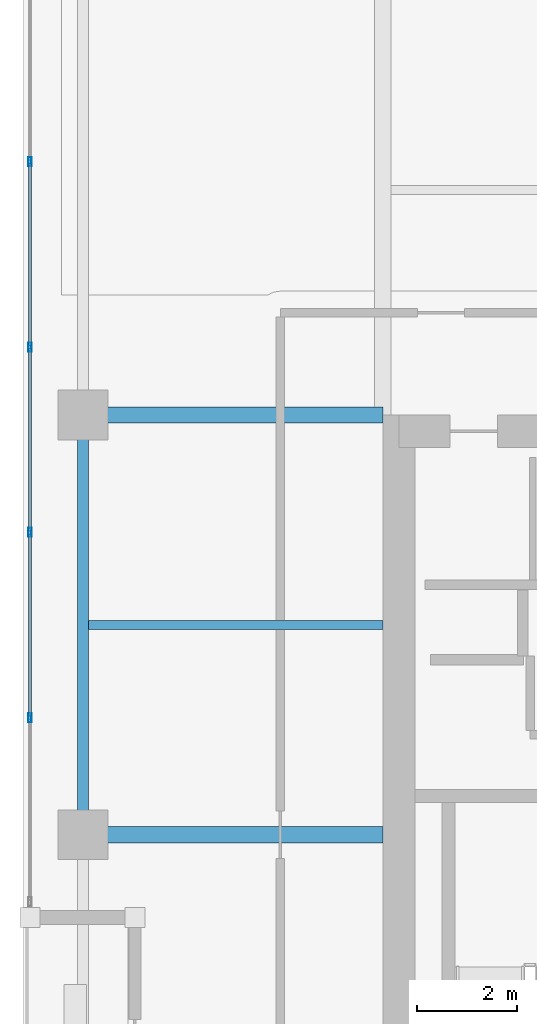
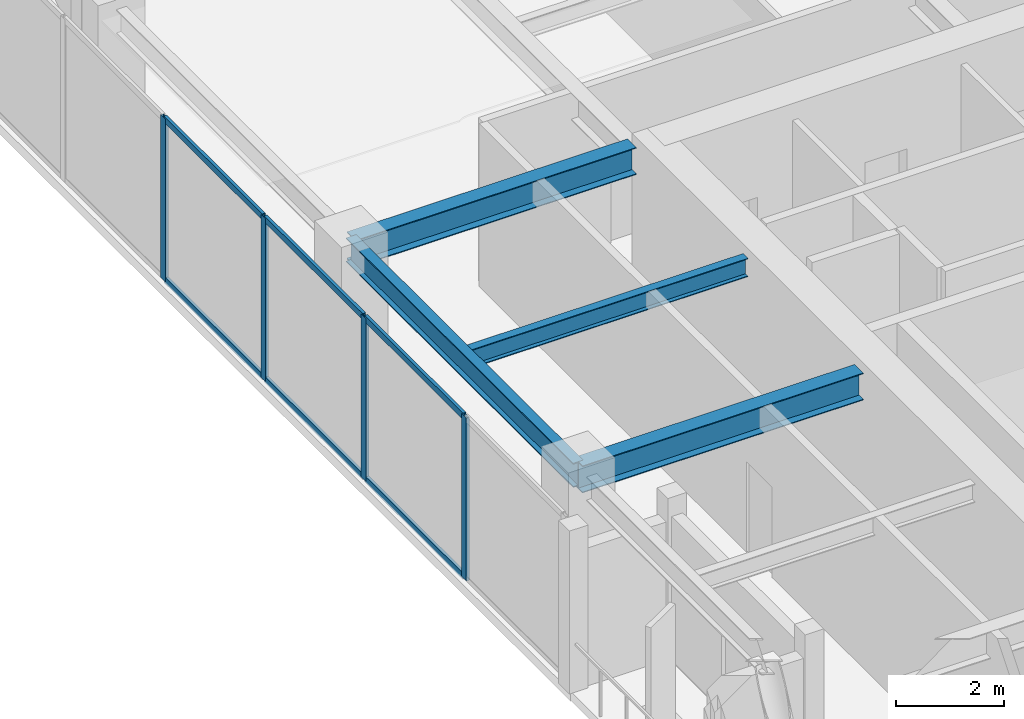
# One storey, part 4 of 21: 10 members, 4 beams, 1 element without a shape of its own.
"""IFC4 building model written with IfcOpenShell, lengths in metres."""

import ifcopenshell
import ifcopenshell.guid

model = None  # the IFC model being written
_history = None  # IfcOwnerHistory: only IFC2X3 demands one
_inside = {}  # id of a spatial element -> (the spatial element, [elements in it])
_under = {}  # id of a project, library or spatial element -> (it, [spatial elements below it])
_declared = {}  # id of a project -> (the project, [libraries it declares])
_typed = {}  # id of a type object -> (the type object, [elements of that type])
_made_of = {}  # id of a material, layer set ... -> (it, [elements and type objects made of it])


def new_model(schema):
    """Start an empty IFC model of exactly this schema.

    Asked for "IFC4X3", IfcOpenShell would pick the latest addendum, in which some entities
    have other attributes; the version numbers below select the first issue.
    IFC2X3 requires an IfcOwnerHistory on every rooted entity: one is made here for all.
    """
    global model, _history
    if schema == "IFC4X3":
        model = ifcopenshell.file(schema_version=(4, 3, 0, 0))
    else:
        model = ifcopenshell.file(schema=schema)
    _inside.clear()
    _under.clear()
    _declared.clear()
    _typed.clear()
    _made_of.clear()
    _history = None
    if model.schema == "IFC2X3":
        org = make("IfcOrganization", Name="unknown")
        user = make(
            "IfcPersonAndOrganization",
            ThePerson=make("IfcPerson", FamilyName="unknown"),
            TheOrganization=org,
        )
        app = make(
            "IfcApplication",
            ApplicationDeveloper=org,
            Version="unknown",
            ApplicationFullName="unknown",
            ApplicationIdentifier="unknown",
        )
        _history = make(
            "IfcOwnerHistory",
            OwningUser=user,
            OwningApplication=app,
            ChangeAction="ADDED",
            CreationDate=0,
        )
    return model


def make(cls, **values):
    """One entity of the class cls with the attributes given. An attribute that is None is left unset."""
    return model.create_entity(
        cls, **{name: value for name, value in values.items() if value is not None}
    )


def rooted(cls, **values):
    """An entity with a GlobalId (a new one), such as an element, a storey or a relation."""
    return make(cls, GlobalId=ifcopenshell.guid.new(), OwnerHistory=_history, **values)


def si_unit(unit_type, name, prefix=None):
    """IfcSIUnit, for example si_unit("LENGTHUNIT", "METRE", prefix="MILLI")."""
    return make("IfcSIUnit", UnitType=unit_type, Prefix=prefix, Name=name)


def assignment(units):
    """IfcUnitAssignment: the units of a project."""
    return None if units is None else make("IfcUnitAssignment", Units=units)


def point(xyz):
    """IfcCartesianPoint."""
    return None if xyz is None else make("IfcCartesianPoint", Coordinates=xyz)


def direction(xyz):
    """IfcDirection."""
    return None if xyz is None else make("IfcDirection", DirectionRatios=xyz)


def frame(location, z_axis=None, x_axis=None):
    """IfcAxis2Placement3D, a coordinate frame: its origin and axes. An axis left out is left unset."""
    return make(
        "IfcAxis2Placement3D",
        Location=point(location),
        Axis=direction(z_axis),
        RefDirection=direction(x_axis),
    )


def frame_2d(location, x_axis=None):
    """IfcAxis2Placement2D, a coordinate frame in the plane: its origin and x axis."""
    return make(
        "IfcAxis2Placement2D", Location=point(location), RefDirection=direction(x_axis)
    )


def origin():
    """The frame at (0, 0, 0) with its axes left unset."""
    return frame((0.0, 0.0, 0.0))


def origin_2d():
    """The frame at (0, 0) in the plane with its x axis left unset."""
    return frame_2d((0.0, 0.0))


def place(relative_to, where):
    """IfcLocalPlacement: puts the frame where relative to a parent placement (None: the world)."""
    return make(
        "IfcLocalPlacement", PlacementRelTo=relative_to, RelativePlacement=where
    )


def context(
    kind, dimensions, precision=None, world=None, true_north=None, identifier=None
):
    """IfcGeometricRepresentationContext, for example the 3D "Model" context."""
    return make(
        "IfcGeometricRepresentationContext",
        ContextIdentifier=identifier,
        ContextType=kind,
        CoordinateSpaceDimension=dimensions,
        Precision=precision,
        WorldCoordinateSystem=world,
        TrueNorth=true_north,
    )


def subcontext(parent, identifier, kind, view, scale=None):
    """IfcGeometricRepresentationSubContext, for example "Body" below "Model"."""
    return make(
        "IfcGeometricRepresentationSubContext",
        ContextIdentifier=identifier,
        ContextType=kind,
        ParentContext=parent,
        TargetScale=scale,
        TargetView=view,
    )


def project(units=None, contexts=None):
    """IfcProject with its units and contexts."""
    return rooted(
        "IfcProject",
        Name="project",
        RepresentationContexts=contexts,
        UnitsInContext=assignment(units),
    )


def spatial(cls, under=None, at=None, **own):
    """A site, building, storey or space (cls), placed at a placement, below another one or the project."""
    s = rooted(cls, ObjectPlacement=at, **own)
    if under is not None:
        _under.setdefault(under.id(), (under, []))[1].append(s)
    return s


def profile(cls, at=None, kind="AREA", **sizes):
    """A parametric profile (cls). Its sizes go by their IFC names, for example OverallWidth=200.0."""
    return make(cls, ProfileType=kind, Position=at, **sizes)


def hollow_rectangle(**sizes):
    """IfcRectangleHollowProfileDef."""
    return profile("IfcRectangleHollowProfileDef", **sizes)


def i_section(**sizes):
    """IfcIShapeProfileDef."""
    return profile("IfcIShapeProfileDef", **sizes)


def extrude(swept, where, along, depth):
    """IfcExtrudedAreaSolid: the profile swept, set in the frame where, extruded along a direction by depth."""
    return make(
        "IfcExtrudedAreaSolid",
        SweptArea=swept,
        Position=where,
        ExtrudedDirection=direction(along),
        Depth=depth,
    )


def shape(context_of_items, identifier, shape_type, items):
    """IfcShapeRepresentation: the items that make up one representation, for example the "Body"."""
    return make(
        "IfcShapeRepresentation",
        ContextOfItems=context_of_items,
        RepresentationIdentifier=identifier,
        RepresentationType=shape_type,
        Items=items,
    )


def material(Name=None, Category=None):
    """IfcMaterial."""
    return make("IfcMaterial", Name=Name, Category=Category)


def layer(
    of_material, thickness, ventilated=None, Name=None, Category=None, Priority=None
):
    """IfcMaterialLayer: one layer of a wall or slab, of a material (None: an air gap)."""
    return make(
        "IfcMaterialLayer",
        Material=of_material,
        LayerThickness=thickness,
        IsVentilated=ventilated,
        Name=Name,
        Category=Category,
        Priority=Priority,
    )


def layer_set(layers, Name=None):
    """IfcMaterialLayerSet."""
    return make("IfcMaterialLayerSet", MaterialLayers=layers, LayerSetName=Name)


def material_profile(
    of_material, cross_section, Name=None, Category=None, Priority=None
):
    """IfcMaterialProfile: a cross section and its material."""
    return make(
        "IfcMaterialProfile",
        Name=Name,
        Material=of_material,
        Profile=cross_section,
        Priority=Priority,
        Category=Category,
    )


def profile_set(profiles, Name=None, composite=None):
    """IfcMaterialProfileSet."""
    return make(
        "IfcMaterialProfileSet",
        Name=Name,
        MaterialProfiles=profiles,
        CompositeProfile=composite,
    )


def made_of(thing, what):
    """Note that an element or type object is made of a material, layer set ...; save() writes the relation."""
    if what is not None:
        _made_of.setdefault(what.id(), (what, []))[1].append(thing)
    return thing


def type_object(cls, material=None, **own):
    """A type object (cls), such as IfcWallType, which elements share."""
    return made_of(rooted(cls, **own), material)


def element(
    cls,
    number,
    at=None,
    inside=None,
    cuts=None,
    type_object=None,
    material=None,
    context=None,
    identifier="Body",
    shape_type=None,
    held_by="IfcProductDefinitionShape",
    body=None,
    shapes=None,
    **own,
):
    """One element of the class cls, such as IfcWall. Its Tag is "e" and its number.

    at: its placement. inside: the storey or other place that contains it. cuts: it is an
    opening in that element (IfcRelVoidsElement). A single representation is given by context,
    identifier, shape_type and body (its items); several are given by shapes. held_by: the class
    of the entity that holds the representations. save() writes the other relations.
    """
    e = rooted(cls, Tag="e%d" % number, ObjectPlacement=at, **own)
    if body is not None:
        shapes = [shape(context, identifier, shape_type, body)]
    if shapes is not None:
        e.Representation = make(held_by, Representations=shapes)
    if inside is not None:
        _inside.setdefault(inside.id(), (inside, []))[1].append(e)
    if cuts is not None:
        rooted(
            "IfcRelVoidsElement", RelatingBuildingElement=cuts, RelatedOpeningElement=e
        )
    if type_object is not None:
        _typed.setdefault(type_object.id(), (type_object, []))[1].append(e)
    return made_of(e, material)


def aggregate(whole, parts):
    """IfcRelAggregates: a whole, such as a stair, and the parts it consists of."""
    return rooted("IfcRelAggregates", RelatingObject=whole, RelatedObjects=parts)


def save(model, path):
    """Write the relations noted so far, then the file.

    IfcRelAggregates (storeys below a building ...), IfcRelContainedInSpatialStructure (elements
    in a storey), IfcRelDefinesByType, IfcRelAssociatesMaterial and IfcRelDeclares: one each for
    every whole, place, type object, material and project.
    """
    for whole, parts in _under.values():
        aggregate(whole, parts)
    for where, things in _inside.values():
        rooted(
            "IfcRelContainedInSpatialStructure",
            RelatedElements=things,
            RelatingStructure=where,
        )
    for kind, things in _typed.values():
        rooted("IfcRelDefinesByType", RelatedObjects=things, RelatingType=kind)
    for what, things in _made_of.values():
        rooted("IfcRelAssociatesMaterial", RelatedObjects=things, RelatingMaterial=what)
    for by, libraries in _declared.values():
        rooted("IfcRelDeclares", RelatingContext=by, RelatedDefinitions=libraries)
    model.write(path)


model = new_model("IFC4")

# Units and contexts
model_context = context("Model", 3, precision=1e-05, world=origin(), true_north=direction((0.0, 1.0)))
body_context = subcontext(model_context, "Body", "Model", "MODEL_VIEW")
ifc_project = project(units=[si_unit("LENGTHUNIT", "METRE"), si_unit("AREAUNIT", "SQUARE_METRE"), si_unit("VOLUMEUNIT", "CUBIC_METRE"), si_unit("PLANEANGLEUNIT", "RADIAN"), si_unit("MASSUNIT", "GRAM", prefix="KILO")], contexts=[model_context])

# Site, building, storey
site_placement = place(None, origin())
site = spatial("IfcSite", under=ifc_project, at=site_placement, CompositionType="ELEMENT")
building_placement = place(site_placement, origin())
building = spatial("IfcBuilding", under=site, at=building_placement, Name="Kiyonajd Concourse Tower", CompositionType="ELEMENT")
storey_placement = place(building_placement, frame((0.0, 0.0, 231.0)))
storey = spatial("IfcBuildingStorey", under=building, at=storey_placement, Name="L58", CompositionType="ELEMENT", Elevation=231.0)

# Beams
ifc_material_1 = material(Name="Steel ASTM A992 Grade 50", Category="steel")
ifc_material_profile_1 = material_profile(ifc_material_1, i_section(OverallWidth=0.180908203125, OverallDepth=0.4169921875, WebThickness=0.010986328125, FlangeThickness=0.018310546875, at=origin_2d()), Name="W410X85")
ifc_profile_set_1 = profile_set([ifc_material_profile_1], Name="Steel ASTM A992 Grade 50")
beam_type_1 = type_object("IfcBeamType", Name="BM-JST-410", PredefinedType="JOIST", material=ifc_profile_set_1)
beam_1_placement = place(storey_placement, frame((26.507080078125, 40.199951171875, 3.471435546875), z_axis=(1.0, 0.0, 0.0), x_axis=(0.0, 1.0, 0.0)))
element("IfcBeam", 1, at=beam_1_placement, inside=storey, type_object=beam_type_1, Name="L58 West Secondary Floor Joist", PredefinedType="JOIST", context=body_context, shape_type="SweptSolid", body=[
    extrude(i_section(OverallWidth=0.180908203125, OverallDepth=0.4169921875, WebThickness=0.010986328125, FlangeThickness=0.018310546875, at=origin_2d()), origin(), (0.0, 0.0, 1.0), 5.892822265625),
])
ifc_material_profile_2 = material_profile(ifc_material_1, i_section(OverallWidth=0.214111328125, OverallDepth=0.549072265625, WebThickness=0.0146484375, FlangeThickness=0.023681640625, at=origin_2d()), Name="W530X138")
ifc_profile_set_2 = profile_set([ifc_material_profile_2], Name="Steel ASTM A992 Grade 50")
beam_type_2 = type_object("IfcBeamType", Name="BM-SPAN-530A", PredefinedType="SPANDREL", material=ifc_profile_set_2)
beam_2_placement = place(storey_placement, frame((26.39990234375, 44.39990234375, 3.405517578125), z_axis=(0.0, -1.0, 0.0), x_axis=(1.0, 0.0, 0.0)))
element("IfcBeam", 2, at=beam_2_placement, inside=storey, type_object=beam_type_2, Name="L58 Perimeter Bundled Tube Spandrel", PredefinedType="SPANDREL", context=body_context, shape_type="SweptSolid", body=[
    extrude(i_section(OverallWidth=0.214111328125, OverallDepth=0.549072265625, WebThickness=0.0146484375, FlangeThickness=0.023681640625, at=origin_2d()), origin(), (0.0, 0.0, 1.0), 8.39990234375),
])
ifc_material_profile_3 = material_profile(ifc_material_1, i_section(OverallWidth=0.323974609375, OverallDepth=0.611083984375, WebThickness=0.0126953125, FlangeThickness=0.01904296875, at=origin_2d()), Name="W610X155")
ifc_profile_set_3 = profile_set([ifc_material_profile_3], Name="Steel ASTM A992 Grade 50")
beam_type_3 = type_object("IfcBeamType", Name="BM-TWR-610B", PredefinedType="BEAM", material=ifc_profile_set_3)
for number, where, z_axis, x_axis, name in (
    (3, (26.39990234375, 36.0, 3.37451171875), (1.0, 0.0, 0.0), (0.0, 1.0, 0.0), "L58 West Lease Girder"),
    (4, (26.39990234375, 44.39990234375, 3.37451171875), (1.0, 0.0, 0.0), (0.0, 1.0, 0.0), "L58 West Lease Girder"),
):
    element("IfcBeam", number, at=place(storey_placement, frame(where, z_axis=z_axis, x_axis=x_axis)), inside=storey, type_object=beam_type_3, Name=name, PredefinedType="BEAM", context=body_context, shape_type="SweptSolid", body=[
        extrude(i_section(OverallWidth=0.323974609375, OverallDepth=0.611083984375, WebThickness=0.0126953125, FlangeThickness=0.01904296875, at=origin_2d()), origin(), (0.0, 0.0, 1.0), 6.0),
    ])

# Curtain wall, members
ifc_material_2 = material(Name="Thermally Broken Anodised Aluminium", Category="aluminium")
ifc_layer = layer(ifc_material_2, 0.179931640625)
ifc_layer_set = layer_set([ifc_layer], Name="Thermally Broken Anodised Aluminium")
curtain_wall_type = type_object("IfcCurtainWallType", Name="CW-SYS-04", PredefinedType="NOTDEFINED", material=ifc_layer_set)
curtain_wall_placement = place(storey_placement, origin())
curtain_wall = element("IfcCurtainWall", 5, at=curtain_wall_placement, inside=storey, type_object=curtain_wall_type, Name="L58 Unitised Curtain Wall CW4", PredefinedType="NOTDEFINED")
ifc_material_profile_4 = material_profile(ifc_material_2, hollow_rectangle(XDim=0.06494140625, YDim=0.179931640625, WallThickness=0.00390625, at=origin_2d()), Name="MULL-65x180")
ifc_profile_set_4 = profile_set([ifc_material_profile_4], Name="Thermally Broken Anodised Aluminium")
member_type_1 = type_object("IfcMemberType", Name="MB-CW-MULL1", PredefinedType="MULLION", material=ifc_profile_set_4)
member_1_placement = place(storey_placement, frame((25.340087890625, 38.34033203125, 0.0), z_axis=(0.0, 0.0, 1.0), x_axis=(-1.0, 0.0, 0.0)))
member_1 = element("IfcMember", 6, at=member_1_placement, type_object=member_type_1, Name="CW4 mullion 2", PredefinedType="MULLION", context=body_context, shape_type="SweptSolid", body=[
    extrude(hollow_rectangle(XDim=0.06494140625, YDim=0.179931640625, WallThickness=0.00390625, at=origin_2d()), origin(), (0.0, 0.0, 1.0), 3.679931640625),
])
member_2_placement = place(storey_placement, frame((25.340087890625, 42.050537109375, 0.0), z_axis=(0.0, 0.0, 1.0), x_axis=(-1.0, 0.0, 0.0)))
member_2 = element("IfcMember", 7, at=member_2_placement, type_object=member_type_1, Name="CW4 mullion 3", PredefinedType="MULLION", context=body_context, shape_type="SweptSolid", body=[
    extrude(hollow_rectangle(XDim=0.06494140625, YDim=0.179931640625, WallThickness=0.00390625, at=origin_2d()), origin(), (0.0, 0.0, 1.0), 3.679931640625),
])
member_3_placement = place(storey_placement, frame((25.340087890625, 45.7607421875, 0.0), z_axis=(0.0, 0.0, 1.0), x_axis=(-1.0, 0.0, 0.0)))
member_3 = element("IfcMember", 8, at=member_3_placement, type_object=member_type_1, Name="CW4 mullion 4", PredefinedType="MULLION", context=body_context, shape_type="SweptSolid", body=[
    extrude(hollow_rectangle(XDim=0.06494140625, YDim=0.179931640625, WallThickness=0.00390625, at=origin_2d()), origin(), (0.0, 0.0, 1.0), 3.679931640625),
])
member_4_placement = place(storey_placement, frame((25.340087890625, 49.470947265625, 0.0), z_axis=(0.0, 0.0, 1.0), x_axis=(-1.0, 0.0, 0.0)))
member_4 = element("IfcMember", 9, at=member_4_placement, type_object=member_type_1, Name="CW4 mullion 5", PredefinedType="MULLION", context=body_context, shape_type="SweptSolid", body=[
    extrude(hollow_rectangle(XDim=0.06494140625, YDim=0.179931640625, WallThickness=0.00390625, at=origin_2d()), origin(), (0.0, 0.0, 1.0), 3.679931640625),
])
ifc_material_profile_5 = material_profile(ifc_material_2, hollow_rectangle(XDim=0.06494140625, YDim=0.139892578125, WallThickness=0.00390625, at=origin_2d()), Name="TRAN-65x140")
ifc_profile_set_5 = profile_set([ifc_material_profile_5], Name="Thermally Broken Anodised Aluminium")
member_type_2 = type_object("IfcMemberType", Name="MB-CW-TRAN1", PredefinedType="USERDEFINED", material=ifc_profile_set_5)
member_5_placement = place(storey_placement, frame((25.340087890625, 38.372802734375, 0.032470703125), z_axis=(0.0, 1.0, 0.0), x_axis=(-1.0, 0.0, 0.0)))
member_5 = element("IfcMember", 10, at=member_5_placement, type_object=member_type_2, Name="CW4 transom 2.1", ObjectType="TRANSOM", PredefinedType="USERDEFINED", context=body_context, shape_type="SweptSolid", body=[
    extrude(hollow_rectangle(XDim=0.06494140625, YDim=0.139892578125, WallThickness=0.00390625, at=origin_2d()), origin(), (0.0, 0.0, 1.0), 3.645263671875),
])
member_6_placement = place(storey_placement, frame((25.340087890625, 38.372802734375, 3.6474609375), z_axis=(0.0, 1.0, 0.0), x_axis=(-1.0, 0.0, 0.0)))
member_6 = element("IfcMember", 11, at=member_6_placement, type_object=member_type_2, Name="CW4 transom 2.2", ObjectType="TRANSOM", PredefinedType="USERDEFINED", context=body_context, shape_type="SweptSolid", body=[
    extrude(hollow_rectangle(XDim=0.06494140625, YDim=0.139892578125, WallThickness=0.00390625, at=origin_2d()), origin(), (0.0, 0.0, 1.0), 3.645263671875),
])
member_7_placement = place(storey_placement, frame((25.340087890625, 42.0830078125, 0.032470703125), z_axis=(0.0, 1.0, 0.0), x_axis=(-1.0, 0.0, 0.0)))
member_7 = element("IfcMember", 12, at=member_7_placement, type_object=member_type_2, Name="CW4 transom 3.1", ObjectType="TRANSOM", PredefinedType="USERDEFINED", context=body_context, shape_type="SweptSolid", body=[
    extrude(hollow_rectangle(XDim=0.06494140625, YDim=0.139892578125, WallThickness=0.00390625, at=origin_2d()), origin(), (0.0, 0.0, 1.0), 3.645263671875),
])
member_8_placement = place(storey_placement, frame((25.340087890625, 42.0830078125, 3.6474609375), z_axis=(0.0, 1.0, 0.0), x_axis=(-1.0, 0.0, 0.0)))
member_8 = element("IfcMember", 13, at=member_8_placement, type_object=member_type_2, Name="CW4 transom 3.2", ObjectType="TRANSOM", PredefinedType="USERDEFINED", context=body_context, shape_type="SweptSolid", body=[
    extrude(hollow_rectangle(XDim=0.06494140625, YDim=0.139892578125, WallThickness=0.00390625, at=origin_2d()), origin(), (0.0, 0.0, 1.0), 3.645263671875),
])
member_9_placement = place(storey_placement, frame((25.340087890625, 45.793212890625, 0.032470703125), z_axis=(0.0, 1.0, 0.0), x_axis=(-1.0, 0.0, 0.0)))
member_9 = element("IfcMember", 14, at=member_9_placement, type_object=member_type_2, Name="CW4 transom 4.1", ObjectType="TRANSOM", PredefinedType="USERDEFINED", context=body_context, shape_type="SweptSolid", body=[
    extrude(hollow_rectangle(XDim=0.06494140625, YDim=0.139892578125, WallThickness=0.00390625, at=origin_2d()), origin(), (0.0, 0.0, 1.0), 3.645263671875),
])
member_10_placement = place(storey_placement, frame((25.340087890625, 45.793212890625, 3.6474609375), z_axis=(0.0, 1.0, 0.0), x_axis=(-1.0, 0.0, 0.0)))
member_10 = element("IfcMember", 15, at=member_10_placement, type_object=member_type_2, Name="CW4 transom 4.2", ObjectType="TRANSOM", PredefinedType="USERDEFINED", context=body_context, shape_type="SweptSolid", body=[
    extrude(hollow_rectangle(XDim=0.06494140625, YDim=0.139892578125, WallThickness=0.00390625, at=origin_2d()), origin(), (0.0, 0.0, 1.0), 3.645263671875),
])
aggregate(curtain_wall, [member_1, member_2, member_3, member_4, member_5, member_6, member_7, member_8, member_9, member_10])

save(model, "model.ifc")
